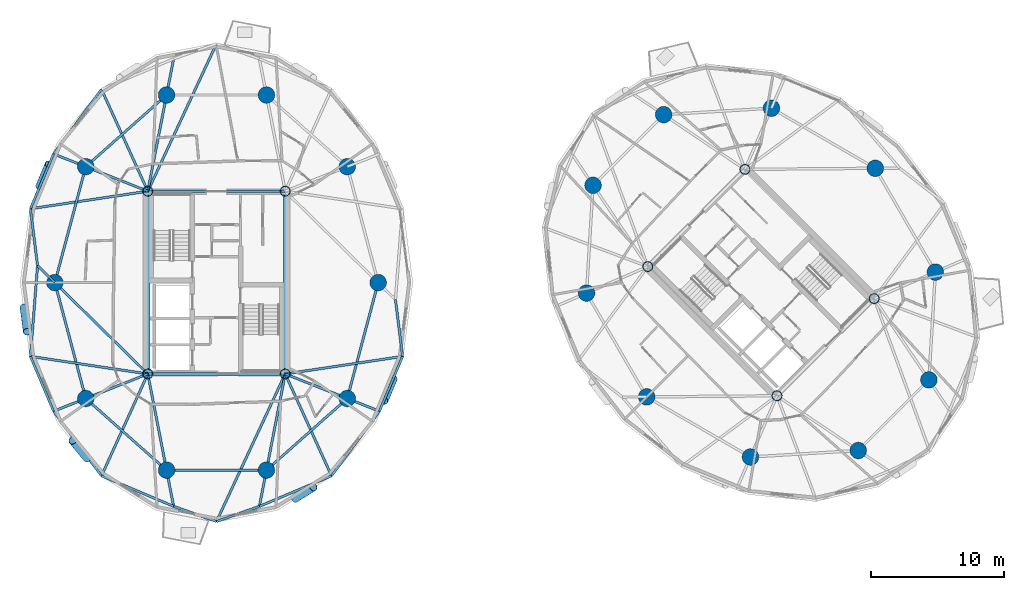
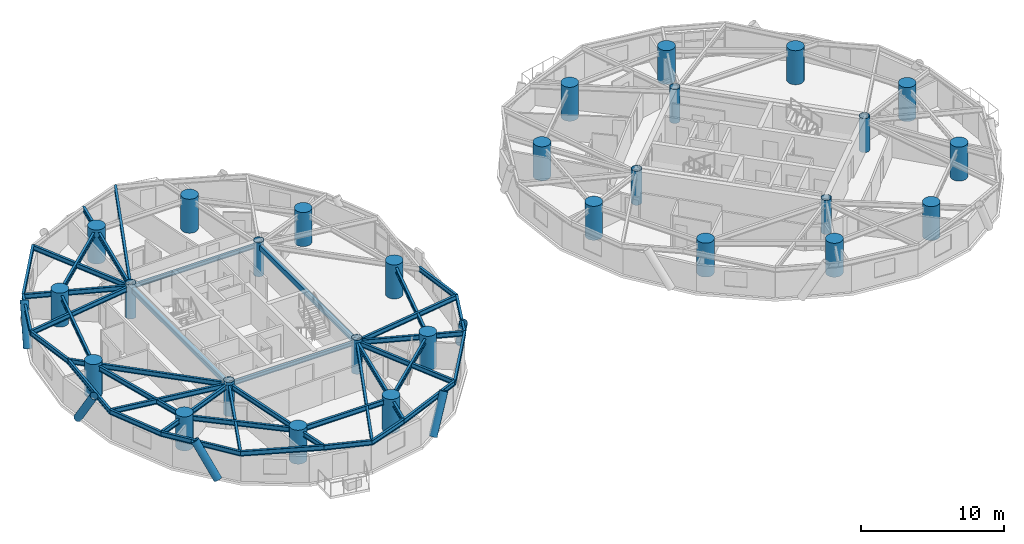
# One storey, part 1 of 17: 40 beams, 28 columns, 5 members.
"""IFC4 building model written with IfcOpenShell, lengths in metres."""

from ifc_helpers import new_model, si_unit, direction, frame, origin, origin_2d, place, context, subcontext, project, spatial, hollow_rectangle, circle, hollow_circle, i_section, extrude, material, material_profile, profile_set, type_object, element, save


model = new_model("IFC4")

# Units and contexts
model_context = context("Model", 3, precision=1e-05, world=origin(), true_north=direction((0.0, 1.0)))
body_context = subcontext(model_context, "Body", "Model", "MODEL_VIEW")
ifc_project = project(units=[si_unit("LENGTHUNIT", "METRE"), si_unit("AREAUNIT", "SQUARE_METRE"), si_unit("VOLUMEUNIT", "CUBIC_METRE"), si_unit("PLANEANGLEUNIT", "RADIAN"), si_unit("MASSUNIT", "GRAM", prefix="KILO")], contexts=[model_context])

# Site, building, storey
site_placement = place(None, origin())
site = spatial("IfcSite", under=ifc_project, at=site_placement, CompositionType="ELEMENT")
building_placement = place(site_placement, origin())
building = spatial("IfcBuilding", under=site, at=building_placement, Name="Cununo Teusaquillo Station Towers", CompositionType="ELEMENT")
storey_placement = place(building_placement, frame((0.0, 0.0, 154.510009765625)))
storey = spatial("IfcBuildingStorey", under=building, at=storey_placement, Name="L48", CompositionType="ELEMENT", Elevation=154.510009765625)

# Columns
ifc_material_1 = material(Name="Steel EN 10025-2 S355J2", Category="steel")
ifc_material_profile_1 = material_profile(ifc_material_1, hollow_circle(Radius=0.3798828125, WallThickness=0.031982421875, at=origin_2d()), Name="CHS 760x32")
ifc_profile_set_1 = profile_set([ifc_material_profile_1], Name="Steel EN 10025-2 S355J2")
column_type_1 = type_object("IfcColumnType", Name="COL-CORE-Z2", PredefinedType="COLUMN", material=ifc_profile_set_1)
for number, where, z_axis, x_axis, name in (
    (1, (11.324951171875, 17.6201171875, 0.0), (0.0, 0.0, 1.0), (1.0, 0.0, 0.0), "L48 Tower A Core Column 1"),
    (2, (11.324951171875, 31.3798828125, 0.0), (0.0, 0.0, 1.0), (1.0, 0.0, 0.0), "L48 Tower A Core Column 2"),
    (3, (21.675048828125, 17.6201171875, 0.0), (0.0, 0.0, 1.0), (1.0, 0.0, 0.0), "L48 Tower A Core Column 3"),
    (4, (21.675048828125, 31.3798828125, 0.0), (0.0, 0.0, 1.0), (1.0, 0.0, 0.0), "L48 Tower A Core Column 4"),
    (5, (58.70556640625, 15.975830078125, 0.0), (0.0, 0.0, 1.0), (0.707106781187, 0.707106781187, 0.0), "L48 Tower B Core Column 1"),
    (6, (48.975830078125, 25.70556640625, 0.0), (0.0, 0.0, 1.0), (0.707106781187, 0.707106781187, 0.0), "L48 Tower B Core Column 2"),
    (7, (66.024169921875, 23.29443359375, 0.0), (0.0, 0.0, 1.0), (0.707106781187, 0.707106781187, 0.0), "L48 Tower B Core Column 3"),
    (8, (56.29443359375, 33.024169921875, 0.0), (0.0, 0.0, 1.0), (0.707106781187, 0.707106781187, 0.0), "L48 Tower B Core Column 4"),
):
    element("IfcColumn", number, at=place(storey_placement, frame(where, z_axis=z_axis, x_axis=x_axis)), inside=storey, type_object=column_type_1, Name=name, PredefinedType="COLUMN", context=body_context, shape_type="SweptSolid", body=[
        extrude(hollow_circle(Radius=0.3798828125, WallThickness=0.031982421875, at=origin_2d()), origin(), (0.0, 0.0, 1.0), 2.909912109375),
    ])
ifc_material_2 = material(Name="Concrete C60/75", Category="concrete")
ifc_material_profile_2 = material_profile(ifc_material_2, circle(Radius=0.625, at=origin_2d()), Name="RC-CIRC-1250")
ifc_profile_set_2 = profile_set([ifc_material_profile_2], Name="Concrete C60/75")
column_type_2 = type_object("IfcColumnType", Name="COL-MEGA-Z3", PredefinedType="USERDEFINED", material=ifc_profile_set_2)
for number, where, z_axis, x_axis, name in (
    (9, (28.672119140625, 24.5, 0.0), (0.0, 0.0, 1.0), (1.0, 0.0, 0.0), "L48 Tower A Perimeter Column V00"),
    (10, (26.347412109375, 33.228515625, 0.0), (0.0, 0.0, 1.0), (1.0, 0.0, 0.0), "L48 Tower A Perimeter Column V02"),
    (11, (20.261474609375, 38.623291015625, 0.0), (0.0, 0.0, 1.0), (1.0, 0.0, 0.0), "L48 Tower A Perimeter Column V04"),
    (12, (12.738525390625, 38.623291015625, 0.0), (0.0, 0.0, 1.0), (1.0, 0.0, 0.0), "L48 Tower A Perimeter Column V06"),
    (13, (6.652587890625, 33.228515625, 0.0), (0.0, 0.0, 1.0), (1.0, 0.0, 0.0), "L48 Tower A Perimeter Column V08"),
    (14, (4.327880859375, 24.5, 0.0), (0.0, 0.0, 1.0), (1.0, 0.0, 0.0), "L48 Tower A Perimeter Column V10"),
    (15, (6.652587890625, 15.771484375, 0.0), (0.0, 0.0, 1.0), (1.0, 0.0, 0.0), "L48 Tower A Perimeter Column V12"),
    (16, (12.738525390625, 10.376708984375, 0.0), (0.0, 0.0, 1.0), (1.0, 0.0, 0.0), "L48 Tower A Perimeter Column V14"),
    (17, (20.261474609375, 10.376708984375, 0.0), (0.0, 0.0, 1.0), (1.0, 0.0, 0.0), "L48 Tower A Perimeter Column V16"),
    (18, (26.347412109375, 15.771484375, 0.0), (0.0, 0.0, 1.0), (1.0, 0.0, 0.0), "L48 Tower A Perimeter Column V18"),
    (19, (66.10693359375, 33.10693359375, 0.0), (0.0, 0.0, 1.0), (1.0, 0.0, 0.0), "L48 Tower B Perimeter Column V00"),
    (20, (58.291015625, 37.63525390625, 0.0), (0.0, 0.0, 1.0), (1.0, 0.0, 0.0), "L48 Tower B Perimeter Column V02"),
    (21, (50.173095703125, 37.146240234375, 0.0), (0.0, 0.0, 1.0), (1.0, 0.0, 0.0), "L48 Tower B Perimeter Column V04"),
    (22, (44.853759765625, 31.826904296875, 0.0), (0.0, 0.0, 1.0), (1.0, 0.0, 0.0), "L48 Tower B Perimeter Column V06"),
    (23, (44.36474609375, 23.708984375, 0.0), (0.0, 0.0, 1.0), (1.0, 0.0, 0.0), "L48 Tower B Perimeter Column V08"),
    (24, (48.89306640625, 15.89306640625, 0.0), (0.0, 0.0, 1.0), (1.0, 0.0, 0.0), "L48 Tower B Perimeter Column V10"),
    (25, (56.708984375, 11.36474609375, 0.0), (0.0, 0.0, 1.0), (1.0, 0.0, 0.0), "L48 Tower B Perimeter Column V12"),
    (26, (64.826904296875, 11.853759765625, 0.0), (0.0, 0.0, 1.0), (1.0, 0.0, 0.0), "L48 Tower B Perimeter Column V14"),
    (27, (70.146240234375, 17.173095703125, 0.0), (0.0, 0.0, 1.0), (1.0, 0.0, 0.0), "L48 Tower B Perimeter Column V16"),
    (28, (70.63525390625, 25.291015625, 0.0), (0.0, 0.0, 1.0), (1.0, 0.0, 0.0), "L48 Tower B Perimeter Column V18"),
):
    element("IfcColumn", number, at=place(storey_placement, frame(where, z_axis=z_axis, x_axis=x_axis)), inside=storey, type_object=column_type_2, Name=name, ObjectType="MEGA COLUMN", PredefinedType="USERDEFINED", context=body_context, shape_type="SweptSolid", body=[
        extrude(circle(Radius=0.625, at=origin_2d()), origin(), (0.0, 0.0, 1.0), 2.909912109375),
    ])

# Beams
ifc_material_3 = material(Name="Steel EN 10025-2 S355J2", Category="steel")
ifc_material_profile_3 = material_profile(ifc_material_3, hollow_rectangle(XDim=0.25, YDim=0.449951171875, WallThickness=0.01611328125, at=origin_2d()), Name="RHS 450x250x16")
ifc_profile_set_3 = profile_set([ifc_material_profile_3], Name="Steel EN 10025-2 S355J2")
beam_type_1 = type_object("IfcBeamType", Name="BM-COUP-1", PredefinedType="USERDEFINED", material=ifc_profile_set_3)
for number, where, z_axis, x_axis, name in (
    (29, (11.324951171875, 17.6201171875, 2.465087890625), (0.0, 1.0, 0.0), (-1.0, 0.0, 0.0), "L48 Tower A Core Beam 1"),
    (30, (21.675048828125, 17.6201171875, 2.465087890625), (0.0, 1.0, 0.0), (-1.0, 0.0, 0.0), "L48 Tower A Core Beam 2"),
):
    element("IfcBeam", number, at=place(storey_placement, frame(where, z_axis=z_axis, x_axis=x_axis)), inside=storey, type_object=beam_type_1, Name=name, ObjectType="COUPLING BEAM", PredefinedType="USERDEFINED", context=body_context, shape_type="SweptSolid", body=[
        extrude(hollow_rectangle(XDim=0.25, YDim=0.449951171875, WallThickness=0.01611328125, at=origin_2d()), origin(), (0.0, 0.0, 1.0), 13.759765625),
    ])
ifc_material_4 = material(Name="Steel ASTM A572 Grade 50", Category="steel")
ifc_material_profile_4 = material_profile(ifc_material_4, i_section(OverallWidth=0.180908203125, OverallDepth=0.4169921875, WebThickness=0.010986328125, FlangeThickness=0.018310546875, FilletRadius=0.012939453125, at=origin_2d()), Name="W16X57")
ifc_profile_set_4 = profile_set([ifc_material_profile_4], Name="Steel ASTM A572 Grade 50")
beam_type_2 = type_object("IfcBeamType", Name="BM-JOIST-1", PredefinedType="JOIST", material=ifc_profile_set_4)
beam_1_placement = place(storey_placement, frame((11.324951171875, 31.3798828125, 2.4814453125), z_axis=(0.422237603969, 0.906485193368, 0.0), x_axis=(-0.906485193368, 0.422237603969, 0.0)))
element("IfcBeam", 31, at=beam_1_placement, inside=storey, type_object=beam_type_2, Name="L48 Tower A Radial Spandrel Joist V05", PredefinedType="JOIST", context=body_context, shape_type="SweptSolid", body=[
    extrude(i_section(OverallWidth=0.180908203125, OverallDepth=0.4169921875, WebThickness=0.010986328125, FlangeThickness=0.018310546875, FilletRadius=0.012939453125, at=origin_2d()), origin(), (0.0, 0.0, 1.0), 12.25634765625),
])
beam_2_placement = place(storey_placement, frame((11.324951171875, 31.3798828125, 2.4814453125), z_axis=(-0.413558514621, 0.910477542274, 0.0), x_axis=(-0.910477542274, -0.413558514621, 0.0)))
element("IfcBeam", 32, at=beam_2_placement, inside=storey, type_object=beam_type_2, Name="L48 Tower A Radial Spandrel Joist V07", PredefinedType="JOIST", context=body_context, shape_type="SweptSolid", body=[
    extrude(i_section(OverallWidth=0.180908203125, OverallDepth=0.4169921875, WebThickness=0.010986328125, FlangeThickness=0.018310546875, FilletRadius=0.012939453125, at=origin_2d()), origin(), (0.0, 0.0, 1.0), 8.428955078125),
])
for number, where, z_axis, x_axis, name in (
    (33, (11.324951171875, 31.3798828125, 2.4814453125), (-0.989018754675, -0.147790063606, 0.0), (0.147790063606, -0.989018754675, 0.0), "L48 Tower A Radial Spandrel Joist V09"),
    (34, (11.324951171875, 17.6201171875, 2.4814453125), (-0.989018754675, 0.147790063606, 0.0), (-0.147790063606, -0.989018754675, 0.0), "L48 Tower A Radial Spandrel Joist V11"),
):
    element("IfcBeam", number, at=place(storey_placement, frame(where, z_axis=z_axis, x_axis=x_axis)), inside=storey, type_object=beam_type_2, Name=name, PredefinedType="JOIST", context=body_context, shape_type="SweptSolid", body=[
        extrude(i_section(OverallWidth=0.180908203125, OverallDepth=0.4169921875, WebThickness=0.010986328125, FlangeThickness=0.018310546875, FilletRadius=0.012939453125, at=origin_2d()), origin(), (0.0, 0.0, 1.0), 8.93701171875),
    ])
beam_3_placement = place(storey_placement, frame((11.324951171875, 17.6201171875, 2.4814453125), z_axis=(-0.413558514621, -0.910477542274, 0.0), x_axis=(0.910477542274, -0.413558514621, 0.0)))
element("IfcBeam", 35, at=beam_3_placement, inside=storey, type_object=beam_type_2, Name="L48 Tower A Radial Spandrel Joist V13", PredefinedType="JOIST", context=body_context, shape_type="SweptSolid", body=[
    extrude(i_section(OverallWidth=0.180908203125, OverallDepth=0.4169921875, WebThickness=0.010986328125, FlangeThickness=0.018310546875, FilletRadius=0.012939453125, at=origin_2d()), origin(), (0.0, 0.0, 1.0), 8.428955078125),
])
beam_4_placement = place(storey_placement, frame((21.675048828125, 17.6201171875, 2.4814453125), z_axis=(-0.422237603969, -0.906485193368, 0.0), x_axis=(0.906485193368, -0.422237603969, 0.0)))
element("IfcBeam", 36, at=beam_4_placement, inside=storey, type_object=beam_type_2, Name="L48 Tower A Radial Spandrel Joist V15", PredefinedType="JOIST", context=body_context, shape_type="SweptSolid", body=[
    extrude(i_section(OverallWidth=0.180908203125, OverallDepth=0.4169921875, WebThickness=0.010986328125, FlangeThickness=0.018310546875, FilletRadius=0.012939453125, at=origin_2d()), origin(), (0.0, 0.0, 1.0), 12.25634765625),
])
beam_5_placement = place(storey_placement, frame((21.675048828125, 17.6201171875, 2.4814453125), z_axis=(0.413558514621, -0.910477542274, 0.0), x_axis=(0.910477542274, 0.413558514621, 0.0)))
element("IfcBeam", 37, at=beam_5_placement, inside=storey, type_object=beam_type_2, Name="L48 Tower A Radial Spandrel Joist V17", PredefinedType="JOIST", context=body_context, shape_type="SweptSolid", body=[
    extrude(i_section(OverallWidth=0.180908203125, OverallDepth=0.4169921875, WebThickness=0.010986328125, FlangeThickness=0.018310546875, FilletRadius=0.012939453125, at=origin_2d()), origin(), (0.0, 0.0, 1.0), 8.428955078125),
])
beam_6_placement = place(storey_placement, frame((21.675048828125, 17.6201171875, 2.4814453125), z_axis=(0.989018754675, 0.147790063606, 0.0), x_axis=(-0.147790063606, 0.989018754675, 0.0)))
element("IfcBeam", 38, at=beam_6_placement, inside=storey, type_object=beam_type_2, Name="L48 Tower A Radial Spandrel Joist V19", PredefinedType="JOIST", context=body_context, shape_type="SweptSolid", body=[
    extrude(i_section(OverallWidth=0.180908203125, OverallDepth=0.4169921875, WebThickness=0.010986328125, FlangeThickness=0.018310546875, FilletRadius=0.012939453125, at=origin_2d()), origin(), (0.0, 0.0, 1.0), 8.93701171875),
])
ifc_material_5 = material(Name="Steel ASTM A572 Grade 50", Category="steel")
ifc_material_profile_5 = material_profile(ifc_material_5, i_section(OverallWidth=0.2041015625, OverallDepth=0.35009765625, WebThickness=0.008544921875, FlangeThickness=0.01513671875, FilletRadius=0.011962890625, at=origin_2d()), Name="W14X48")
ifc_profile_set_5 = profile_set([ifc_material_profile_5], Name="Steel ASTM A572 Grade 50")
beam_type_3 = type_object("IfcBeamType", Name="BM-LINTEL-1", PredefinedType="LINTEL", material=ifc_profile_set_5)
for number, where, z_axis, x_axis, name in (
    (39, (11.324951171875, 17.6201171875, 2.514892578125), (1.0, 0.0, 0.0), (0.0, 1.0, 0.0), "L48 Tower A Core Beam 3"),
    (40, (11.324951171875, 31.3798828125, 2.514892578125), (1.0, 0.0, 0.0), (0.0, 1.0, 0.0), "L48 Tower A Core Beam 4"),
):
    element("IfcBeam", number, at=place(storey_placement, frame(where, z_axis=z_axis, x_axis=x_axis)), inside=storey, type_object=beam_type_3, Name=name, PredefinedType="LINTEL", context=body_context, shape_type="SweptSolid", body=[
        extrude(i_section(OverallWidth=0.2041015625, OverallDepth=0.35009765625, WebThickness=0.008544921875, FlangeThickness=0.01513671875, FilletRadius=0.011962890625, at=origin_2d()), origin(), (0.0, 0.0, 1.0), 10.35009765625),
    ])
ifc_material_6 = material(Name="Steel ASTM A572 Grade 50", Category="steel")
ifc_material_profile_6 = material_profile(ifc_material_6, i_section(OverallWidth=0.180908203125, OverallDepth=0.4169921875, WebThickness=0.010986328125, FlangeThickness=0.018310546875, FilletRadius=0.012939453125, at=origin_2d()), Name="W16X57")
ifc_profile_set_6 = profile_set([ifc_material_profile_6], Name="Steel ASTM A572 Grade 50")
beam_type_4 = type_object("IfcBeamType", Name="BM-RAD-G2", PredefinedType="BEAM", material=ifc_profile_set_6)
beam_7_placement = place(storey_placement, frame((11.324951171875, 31.3798828125, 2.4814453125), z_axis=(0.191552706487, 0.981482328235, 0.0), x_axis=(-0.981482328235, 0.191552706487, 0.0)))
element("IfcBeam", 41, at=beam_7_placement, inside=storey, type_object=beam_type_4, Name="L48 Tower A Continuous Overhanging Radial Girder 04", PredefinedType="BEAM", context=body_context, shape_type="SweptSolid", body=[
    extrude(i_section(OverallWidth=0.180908203125, OverallDepth=0.4169921875, WebThickness=0.010986328125, FlangeThickness=0.018310546875, FilletRadius=0.012939453125, at=origin_2d()), origin(), (0.0, 0.0, 1.0), 10.159423828125),
])
beam_8_placement = place(storey_placement, frame((11.324951171875, 31.3798828125, 2.4814453125), z_axis=(-0.929862250459, 0.367907862341, 0.0), x_axis=(-0.367907862341, -0.929862250459, 0.0)))
element("IfcBeam", 42, at=beam_8_placement, inside=storey, type_object=beam_type_4, Name="L48 Tower A Continuous Overhanging Radial Girder 05", PredefinedType="BEAM", context=body_context, shape_type="SweptSolid", body=[
    extrude(i_section(OverallWidth=0.180908203125, OverallDepth=0.4169921875, WebThickness=0.010986328125, FlangeThickness=0.018310546875, FilletRadius=0.012939453125, at=origin_2d()), origin(), (0.0, 0.0, 1.0), 7.632080078125),
])
beam_9_placement = place(storey_placement, frame((11.324951171875, 17.6201171875, 2.4814453125), z_axis=(-0.713052701438, 0.701110437073, 0.0), x_axis=(-0.701110437073, -0.713052701438, 0.0)))
element("IfcBeam", 43, at=beam_9_placement, inside=storey, type_object=beam_type_4, Name="L48 Tower A Radial Girder 06A", PredefinedType="BEAM", context=body_context, shape_type="SweptSolid", body=[
    extrude(i_section(OverallWidth=0.180908203125, OverallDepth=0.4169921875, WebThickness=0.010986328125, FlangeThickness=0.018310546875, FilletRadius=0.012939453125, at=origin_2d()), origin(), (0.0, 0.0, 1.0), 9.812744140625),
])
beam_10_placement = place(storey_placement, frame((4.327880859375, 24.5, 2.4814453125), z_axis=(-0.713027019349, 0.701136555657, 0.0), x_axis=(-0.701136555657, -0.713027019349, 0.0)))
element("IfcBeam", 44, at=beam_10_placement, inside=storey, type_object=beam_type_4, Name="L48 Tower A Perimeter Overhang Girder 06B", PredefinedType="BEAM", context=body_context, shape_type="SweptSolid", body=[
    extrude(i_section(OverallWidth=0.180908203125, OverallDepth=0.4169921875, WebThickness=0.010986328125, FlangeThickness=0.018310546875, FilletRadius=0.012939453125, at=origin_2d()), origin(), (0.0, 0.0, 1.0), 1.827392578125),
])
beam_11_placement = place(storey_placement, frame((11.324951171875, 17.6201171875, 2.4814453125), z_axis=(-0.929862250459, -0.367907862341, 0.0), x_axis=(0.367907862341, -0.929862250459, 0.0)))
element("IfcBeam", 45, at=beam_11_placement, inside=storey, type_object=beam_type_4, Name="L48 Tower A Continuous Overhanging Radial Girder 07", PredefinedType="BEAM", context=body_context, shape_type="SweptSolid", body=[
    extrude(i_section(OverallWidth=0.180908203125, OverallDepth=0.4169921875, WebThickness=0.010986328125, FlangeThickness=0.018310546875, FilletRadius=0.012939453125, at=origin_2d()), origin(), (0.0, 0.0, 1.0), 7.632080078125),
])
for number, where, z_axis, x_axis, name in (
    (46, (11.324951171875, 17.6201171875, 2.4814453125), (0.191552706487, -0.981482328235, 0.0), (0.981482328235, 0.191552706487, 0.0), "L48 Tower A Continuous Overhanging Radial Girder 08"),
    (47, (21.675048828125, 17.6201171875, 2.4814453125), (-0.191552706487, -0.981482328235, 0.0), (0.981482328235, -0.191552706487, 0.0), "L48 Tower A Continuous Overhanging Radial Girder 09"),
):
    element("IfcBeam", number, at=place(storey_placement, frame(where, z_axis=z_axis, x_axis=x_axis)), inside=storey, type_object=beam_type_4, Name=name, PredefinedType="BEAM", context=body_context, shape_type="SweptSolid", body=[
        extrude(i_section(OverallWidth=0.180908203125, OverallDepth=0.4169921875, WebThickness=0.010986328125, FlangeThickness=0.018310546875, FilletRadius=0.012939453125, at=origin_2d()), origin(), (0.0, 0.0, 1.0), 10.159423828125),
    ])
beam_12_placement = place(storey_placement, frame((21.675048828125, 17.6201171875, 2.4814453125), z_axis=(0.929862250459, -0.367907862341, 0.0), x_axis=(0.367907862341, 0.929862250459, 0.0)))
element("IfcBeam", 48, at=beam_12_placement, inside=storey, type_object=beam_type_4, Name="L48 Tower A Continuous Overhanging Radial Girder 10", PredefinedType="BEAM", context=body_context, shape_type="SweptSolid", body=[
    extrude(i_section(OverallWidth=0.180908203125, OverallDepth=0.4169921875, WebThickness=0.010986328125, FlangeThickness=0.018310546875, FilletRadius=0.012939453125, at=origin_2d()), origin(), (0.0, 0.0, 1.0), 7.632080078125),
])
ifc_material_7 = material(Name="Steel ASTM A572 Grade 50", Category="steel")
ifc_material_profile_7 = material_profile(ifc_material_7, i_section(OverallWidth=0.180908203125, OverallDepth=0.4169921875, WebThickness=0.010986328125, FlangeThickness=0.018310546875, FilletRadius=0.012939453125, at=origin_2d()), Name="W16X57")
ifc_profile_set_7 = profile_set([ifc_material_profile_7], Name="Steel ASTM A572 Grade 50")
beam_type_5 = type_object("IfcBeamType", Name="BM-RING-Z3", PredefinedType="SPANDREL", material=ifc_profile_set_7)
beam_13_placement = place(storey_placement, frame((12.738525390625, 38.623291015625, 2.4814453125), z_axis=(-0.74832120039, -0.66333655187, 0.0), x_axis=(0.66333655187, -0.74832120039, 0.0)))
element("IfcBeam", 49, at=beam_13_placement, inside=storey, type_object=beam_type_5, Name="L48 Tower A Structural Column Ring Girder 04", PredefinedType="SPANDREL", context=body_context, shape_type="SweptSolid", body=[
    extrude(i_section(OverallWidth=0.180908203125, OverallDepth=0.4169921875, WebThickness=0.010986328125, FlangeThickness=0.018310546875, FilletRadius=0.012939453125, at=origin_2d()), origin(), (0.0, 0.0, 1.0), 8.1328125),
])
for number, where, z_axis, x_axis, name in (
    (50, (6.652587890625, 33.228515625, 2.4814453125), (-0.257363196347, -0.966314744359, 0.0), (0.966314744359, -0.257363196347, 0.0), "L48 Tower A Structural Column Ring Girder 05"),
    (51, (4.327880859375, 24.5, 2.4814453125), (0.257363196347, -0.966314744359, 0.0), (0.966314744359, 0.257363196347, 0.0), "L48 Tower A Structural Column Ring Girder 06"),
):
    element("IfcBeam", number, at=place(storey_placement, frame(where, z_axis=z_axis, x_axis=x_axis)), inside=storey, type_object=beam_type_5, Name=name, PredefinedType="SPANDREL", context=body_context, shape_type="SweptSolid", body=[
        extrude(i_section(OverallWidth=0.180908203125, OverallDepth=0.4169921875, WebThickness=0.010986328125, FlangeThickness=0.018310546875, FilletRadius=0.012939453125, at=origin_2d()), origin(), (0.0, 0.0, 1.0), 9.03271484375),
    ])
beam_14_placement = place(storey_placement, frame((6.652587890625, 15.771484375, 2.4814453125), z_axis=(0.74832120039, -0.66333655187, 0.0), x_axis=(0.66333655187, 0.74832120039, 0.0)))
element("IfcBeam", 52, at=beam_14_placement, inside=storey, type_object=beam_type_5, Name="L48 Tower A Structural Column Ring Girder 07", PredefinedType="SPANDREL", context=body_context, shape_type="SweptSolid", body=[
    extrude(i_section(OverallWidth=0.180908203125, OverallDepth=0.4169921875, WebThickness=0.010986328125, FlangeThickness=0.018310546875, FilletRadius=0.012939453125, at=origin_2d()), origin(), (0.0, 0.0, 1.0), 8.1328125),
])
beam_15_placement = place(storey_placement, frame((12.738525390625, 10.376708984375, 2.4814453125), z_axis=(1.0, 0.0, 0.0), x_axis=(0.0, 1.0, 0.0)))
element("IfcBeam", 53, at=beam_15_placement, inside=storey, type_object=beam_type_5, Name="L48 Tower A Structural Column Ring Girder 08", PredefinedType="SPANDREL", context=body_context, shape_type="SweptSolid", body=[
    extrude(i_section(OverallWidth=0.180908203125, OverallDepth=0.4169921875, WebThickness=0.010986328125, FlangeThickness=0.018310546875, FilletRadius=0.012939453125, at=origin_2d()), origin(), (0.0, 0.0, 1.0), 7.52294921875),
])
beam_16_placement = place(storey_placement, frame((20.261474609375, 10.376708984375, 2.4814453125), z_axis=(0.74832120039, 0.66333655187, 0.0), x_axis=(-0.66333655187, 0.74832120039, 0.0)))
element("IfcBeam", 54, at=beam_16_placement, inside=storey, type_object=beam_type_5, Name="L48 Tower A Structural Column Ring Girder 09", PredefinedType="SPANDREL", context=body_context, shape_type="SweptSolid", body=[
    extrude(i_section(OverallWidth=0.180908203125, OverallDepth=0.4169921875, WebThickness=0.010986328125, FlangeThickness=0.018310546875, FilletRadius=0.012939453125, at=origin_2d()), origin(), (0.0, 0.0, 1.0), 8.1328125),
])
beam_17_placement = place(storey_placement, frame((26.347412109375, 15.771484375, 2.4814453125), z_axis=(0.257363196347, 0.966314744359, 0.0), x_axis=(-0.966314744359, 0.257363196347, 0.0)))
element("IfcBeam", 55, at=beam_17_placement, inside=storey, type_object=beam_type_5, Name="L48 Tower A Structural Column Ring Girder 10", PredefinedType="SPANDREL", context=body_context, shape_type="SweptSolid", body=[
    extrude(i_section(OverallWidth=0.180908203125, OverallDepth=0.4169921875, WebThickness=0.010986328125, FlangeThickness=0.018310546875, FilletRadius=0.012939453125, at=origin_2d()), origin(), (0.0, 0.0, 1.0), 9.03271484375),
])
beam_18_placement = place(storey_placement, frame((7.839111328125, 39.05419921875, 2.4814453125), z_axis=(-0.595872908853, -0.803078748626, 0.0), x_axis=(0.803078748626, -0.595872908853, 0.0)))
element("IfcBeam", 56, at=beam_18_placement, inside=storey, type_object=beam_type_5, Name="L48 Tower A Spandrel Ring Beam 08", PredefinedType="SPANDREL", context=body_context, shape_type="SweptSolid", body=[
    extrude(i_section(OverallWidth=0.180908203125, OverallDepth=0.4169921875, WebThickness=0.010986328125, FlangeThickness=0.018310546875, FilletRadius=0.012939453125, at=origin_2d()), origin(), (0.0, 0.0, 1.0), 6.059814453125),
])
beam_19_placement = place(storey_placement, frame((4.228271484375, 34.187744140625, 2.4814453125), z_axis=(-0.388777827816, -0.921331536744, 0.0), x_axis=(0.921331536744, -0.388777827816, 0.0)))
element("IfcBeam", 57, at=beam_19_placement, inside=storey, type_object=beam_type_5, Name="L48 Tower A Spandrel Ring Beam 09", PredefinedType="SPANDREL", context=body_context, shape_type="SweptSolid", body=[
    extrude(i_section(OverallWidth=0.180908203125, OverallDepth=0.4169921875, WebThickness=0.010986328125, FlangeThickness=0.018310546875, FilletRadius=0.012939453125, at=origin_2d()), origin(), (0.0, 0.0, 1.0), 4.481201171875),
])
beam_20_placement = place(storey_placement, frame((2.486083984375, 30.05908203125, 2.4814453125), z_axis=(0.124968535363, -0.992160705314, 0.0), x_axis=(0.992160705314, 0.124968535363, 0.0)))
element("IfcBeam", 58, at=beam_20_placement, inside=storey, type_object=beam_type_5, Name="L48 Tower A Spandrel Ring Beam 10", PredefinedType="SPANDREL", context=body_context, shape_type="SweptSolid", body=[
    extrude(i_section(OverallWidth=0.180908203125, OverallDepth=0.4169921875, WebThickness=0.010986328125, FlangeThickness=0.018310546875, FilletRadius=0.012939453125, at=origin_2d()), origin(), (0.0, 0.0, 1.0), 4.3115234375),
])
beam_21_placement = place(storey_placement, frame((3.02490234375, 25.78125, 2.4814453125), z_axis=(-0.078527541639, -0.996911944559, 0.0), x_axis=(0.996911944559, -0.078527541639, 0.0)))
element("IfcBeam", 59, at=beam_21_placement, inside=storey, type_object=beam_type_5, Name="L48 Tower A Spandrel Ring Beam 11", PredefinedType="SPANDREL", context=body_context, shape_type="SweptSolid", body=[
    extrude(i_section(OverallWidth=0.180908203125, OverallDepth=0.4169921875, WebThickness=0.010986328125, FlangeThickness=0.018310546875, FilletRadius=0.012939453125, at=origin_2d()), origin(), (0.0, 0.0, 1.0), 6.861572265625),
])
beam_22_placement = place(storey_placement, frame((2.486083984375, 18.94091796875, 2.4814453125), z_axis=(0.388777827816, -0.921331536744, 0.0), x_axis=(0.921331536744, 0.388777827816, 0.0)))
element("IfcBeam", 60, at=beam_22_placement, inside=storey, type_object=beam_type_5, Name="L48 Tower A Spandrel Ring Beam 12", PredefinedType="SPANDREL", context=body_context, shape_type="SweptSolid", body=[
    extrude(i_section(OverallWidth=0.180908203125, OverallDepth=0.4169921875, WebThickness=0.010986328125, FlangeThickness=0.018310546875, FilletRadius=0.012939453125, at=origin_2d()), origin(), (0.0, 0.0, 1.0), 4.481201171875),
])
beam_23_placement = place(storey_placement, frame((4.228271484375, 14.812255859375, 2.4814453125), z_axis=(0.595872908853, -0.803078748626, 0.0), x_axis=(0.803078748626, 0.595872908853, 0.0)))
element("IfcBeam", 61, at=beam_23_placement, inside=storey, type_object=beam_type_5, Name="L48 Tower A Spandrel Ring Beam 13", PredefinedType="SPANDREL", context=body_context, shape_type="SweptSolid", body=[
    extrude(i_section(OverallWidth=0.180908203125, OverallDepth=0.4169921875, WebThickness=0.010986328125, FlangeThickness=0.018310546875, FilletRadius=0.012939453125, at=origin_2d()), origin(), (0.0, 0.0, 1.0), 6.059814453125),
])
beam_24_placement = place(storey_placement, frame((7.839111328125, 9.94580078125, 2.4814453125), z_axis=(0.921042081118, -0.38946307246, 0.0), x_axis=(0.38946307246, 0.921042081118, 0.0)))
element("IfcBeam", 62, at=beam_24_placement, inside=storey, type_object=beam_type_5, Name="L48 Tower A Spandrel Ring Beam 14", PredefinedType="SPANDREL", context=body_context, shape_type="SweptSolid", body=[
    extrude(i_section(OverallWidth=0.180908203125, OverallDepth=0.4169921875, WebThickness=0.010986328125, FlangeThickness=0.018310546875, FilletRadius=0.012939453125, at=origin_2d()), origin(), (0.0, 0.0, 1.0), 5.8974609375),
])
for number, where, z_axis, x_axis, name in (
    (63, (13.27099609375, 7.64892578125, 2.4814453125), (0.943057449198, -0.332629895698, 0.0), (0.332629895698, 0.943057449198, 0.0), "L48 Tower A Spandrel Ring Beam 15"),
    (64, (16.5, 6.510009765625, 2.4814453125), (0.943057449198, 0.332629895698, 0.0), (-0.332629895698, 0.943057449198, 0.0), "L48 Tower A Spandrel Ring Beam 16"),
):
    element("IfcBeam", number, at=place(storey_placement, frame(where, z_axis=z_axis, x_axis=x_axis)), inside=storey, type_object=beam_type_5, Name=name, PredefinedType="SPANDREL", context=body_context, shape_type="SweptSolid", body=[
        extrude(i_section(OverallWidth=0.180908203125, OverallDepth=0.4169921875, WebThickness=0.010986328125, FlangeThickness=0.018310546875, FilletRadius=0.012939453125, at=origin_2d()), origin(), (0.0, 0.0, 1.0), 3.424072265625),
    ])
beam_25_placement = place(storey_placement, frame((19.72900390625, 7.64892578125, 2.4814453125), z_axis=(0.921042081118, 0.38946307246, 0.0), x_axis=(-0.38946307246, 0.921042081118, 0.0)))
element("IfcBeam", 65, at=beam_25_placement, inside=storey, type_object=beam_type_5, Name="L48 Tower A Spandrel Ring Beam 17", PredefinedType="SPANDREL", context=body_context, shape_type="SweptSolid", body=[
    extrude(i_section(OverallWidth=0.180908203125, OverallDepth=0.4169921875, WebThickness=0.010986328125, FlangeThickness=0.018310546875, FilletRadius=0.012939453125, at=origin_2d()), origin(), (0.0, 0.0, 1.0), 5.8974609375),
])
beam_26_placement = place(storey_placement, frame((25.160888671875, 9.94580078125, 2.4814453125), z_axis=(0.595872908853, 0.803078748626, 0.0), x_axis=(-0.803078748626, 0.595872908853, 0.0)))
element("IfcBeam", 66, at=beam_26_placement, inside=storey, type_object=beam_type_5, Name="L48 Tower A Spandrel Ring Beam 18", PredefinedType="SPANDREL", context=body_context, shape_type="SweptSolid", body=[
    extrude(i_section(OverallWidth=0.180908203125, OverallDepth=0.4169921875, WebThickness=0.010986328125, FlangeThickness=0.018310546875, FilletRadius=0.012939453125, at=origin_2d()), origin(), (0.0, 0.0, 1.0), 6.059814453125),
])
beam_27_placement = place(storey_placement, frame((28.771728515625, 14.812255859375, 2.4814453125), z_axis=(0.388777827816, 0.921331536744, 0.0), x_axis=(-0.921331536744, 0.388777827816, 0.0)))
element("IfcBeam", 67, at=beam_27_placement, inside=storey, type_object=beam_type_5, Name="L48 Tower A Spandrel Ring Beam 19", PredefinedType="SPANDREL", context=body_context, shape_type="SweptSolid", body=[
    extrude(i_section(OverallWidth=0.180908203125, OverallDepth=0.4169921875, WebThickness=0.010986328125, FlangeThickness=0.018310546875, FilletRadius=0.012939453125, at=origin_2d()), origin(), (0.0, 0.0, 1.0), 4.481201171875),
])
beam_28_placement = place(storey_placement, frame((30.513916015625, 18.94091796875, 2.4814453125), z_axis=(-0.124968535363, 0.992160705314, 0.0), x_axis=(-0.992160705314, -0.124968535363, 0.0)))
element("IfcBeam", 68, at=beam_28_placement, inside=storey, type_object=beam_type_5, Name="L48 Tower A Spandrel Ring Beam 20", PredefinedType="SPANDREL", context=body_context, shape_type="SweptSolid", body=[
    extrude(i_section(OverallWidth=0.180908203125, OverallDepth=0.4169921875, WebThickness=0.010986328125, FlangeThickness=0.018310546875, FilletRadius=0.012939453125, at=origin_2d()), origin(), (0.0, 0.0, 1.0), 4.3115234375),
])

# Members
ifc_material_8 = material(Name="Steel EN 10025-2 S355J2", Category="steel")
ifc_material_profile_8 = material_profile(ifc_material_8, hollow_circle(Radius=0.304931640625, WallThickness=0.02001953125, at=origin_2d()), Name="CHS 610x20")
ifc_profile_set_8 = profile_set([ifc_material_profile_8], Name="Steel EN 10025-2 S355J2")
member_type = type_object("IfcMemberType", Name="MBR-DIAG-Z3", PredefinedType="BRACE", material=ifc_profile_set_8)
member_1_placement = place(storey_placement, frame((3.183837890625, 31.73095703125, -0.139892578125), z_axis=(0.203566141357, 0.487689772523, 0.848952007989), x_axis=(-0.922833497828, 0.385199085262, 0.0)))
element("IfcMember", 69, at=member_1_placement, inside=storey, type_object=member_type, Name="L48 Tower A Folded-Zigzag Diagrid Tube C08", PredefinedType="BRACE", context=body_context, shape_type="SweptSolid", body=[
    extrude(hollow_circle(Radius=0.304931640625, WallThickness=0.02001953125, at=origin_2d()), origin(), (0.0, 0.0, 1.0), 3.427734375),
])
member_2_placement = place(storey_placement, frame((2.00537109375, 22.64697265625, -0.139892578125), z_axis=(0.069538691126, -0.53583620878, 0.841453461456), x_axis=(0.991683988528, 0.1286968022, 0.0)))
element("IfcMember", 70, at=member_2_placement, inside=storey, type_object=member_type, Name="L48 Tower A Folded-Zigzag Diagrid Tube C10", PredefinedType="BRACE", context=body_context, shape_type="SweptSolid", body=[
    extrude(hollow_circle(Radius=0.304931640625, WallThickness=0.02001953125, at=origin_2d()), origin(), (0.0, 0.0, 1.0), 3.458251953125),
])
member_3_placement = place(storey_placement, frame((6.75244140625, 11.2724609375, -0.139892578125), z_axis=(-0.321724398626, 0.39277698992, 0.861521704612), x_axis=(-0.773608318417, -0.633664082678, 0.0)))
element("IfcMember", 71, at=member_3_placement, inside=storey, type_object=member_type, Name="L48 Tower A Folded-Zigzag Diagrid Tube C12", PredefinedType="BRACE", context=body_context, shape_type="SweptSolid", body=[
    extrude(hollow_circle(Radius=0.304931640625, WallThickness=0.02001953125, at=origin_2d()), origin(), (0.0, 0.0, 1.0), 3.377685546875),
])
member_4_placement = place(storey_placement, frame((22.422607421875, 8.2421875, -0.139892578125), z_axis=(0.411546762261, 0.256042555907, 0.874683641117), x_axis=(-0.528255801217, 0.849085277508, 0.0)))
element("IfcMember", 72, at=member_4_placement, inside=storey, type_object=member_type, Name="L48 Tower A Folded-Zigzag Diagrid Tube C16", PredefinedType="BRACE", context=body_context, shape_type="SweptSolid", body=[
    extrude(hollow_circle(Radius=0.304931640625, WallThickness=0.02001953125, at=origin_2d()), origin(), (0.0, 0.0, 1.0), 3.326904296875),
])
member_5_placement = place(storey_placement, frame((29.816162109375, 17.26904296875, -0.139892578125), z_axis=(-0.203566141357, -0.487689772523, 0.848952007989), x_axis=(0.922833497828, -0.385199085262, 0.0)))
element("IfcMember", 73, at=member_5_placement, inside=storey, type_object=member_type, Name="L48 Tower A Folded-Zigzag Diagrid Tube C18", PredefinedType="BRACE", context=body_context, shape_type="SweptSolid", body=[
    extrude(hollow_circle(Radius=0.304931640625, WallThickness=0.02001953125, at=origin_2d()), origin(), (0.0, 0.0, 1.0), 3.427734375),
])

save(model, "model.ifc")
